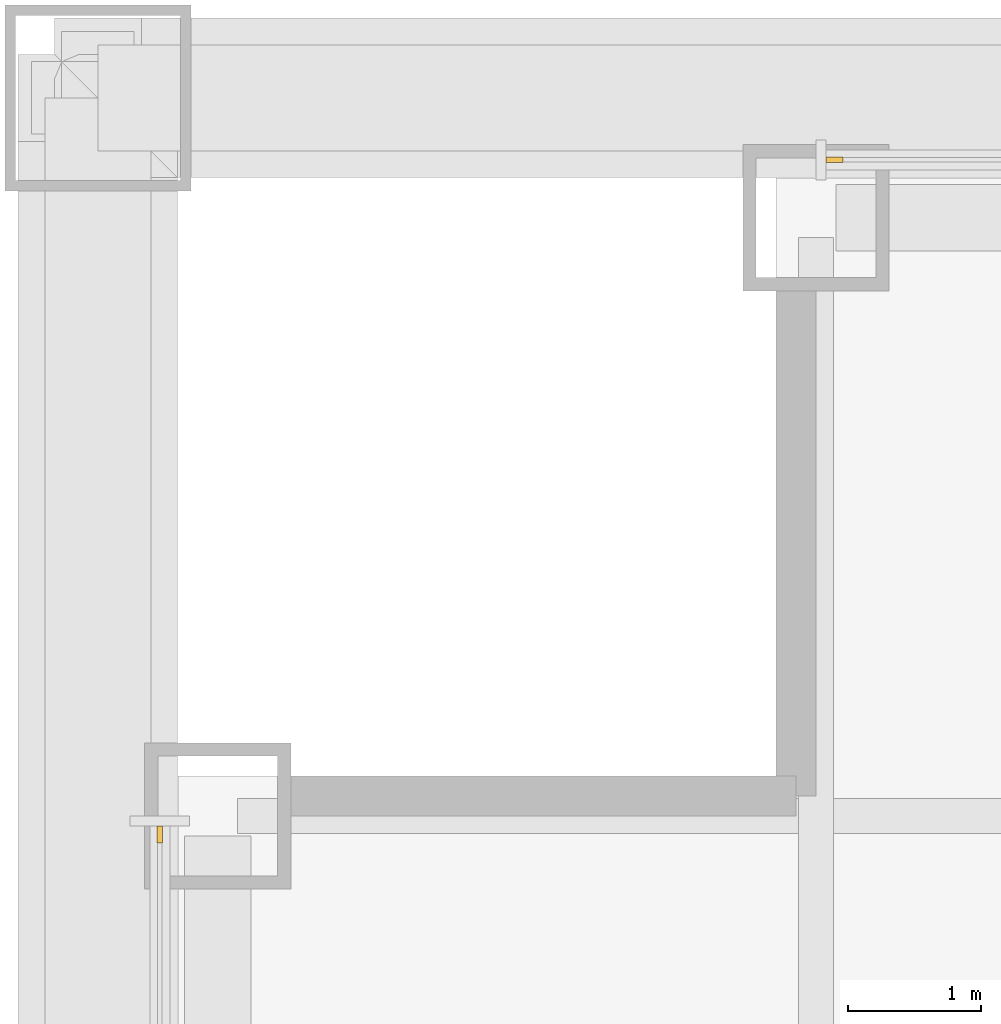
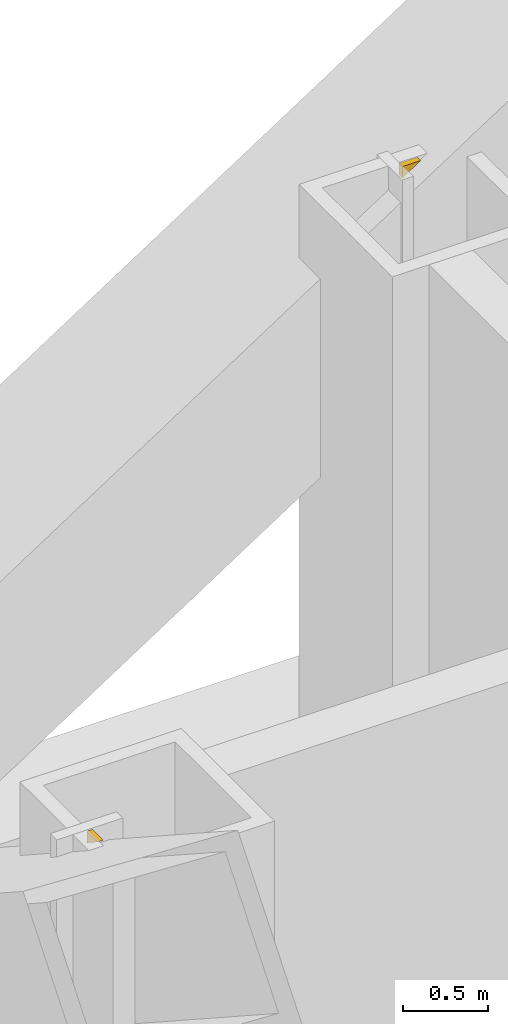
# One storey, part 20 of 21: 2 coverings.
"""IFC4 building model written with IfcOpenShell, lengths in metres."""

from ifc_helpers import new_model, si_unit, direction, frame, origin, place, context, subcontext, project, spatial, polyline, outline, extrude, material, layer, layer_set, type_object, element, save


model = new_model("IFC4")

# Units and contexts
model_context = context("Model", 3, precision=1e-05, world=origin(), true_north=direction((0.0, 1.0)))
body_context = subcontext(model_context, "Body", "Model", "MODEL_VIEW")
ifc_project = project(units=[si_unit("LENGTHUNIT", "METRE"), si_unit("AREAUNIT", "SQUARE_METRE"), si_unit("VOLUMEUNIT", "CUBIC_METRE"), si_unit("PLANEANGLEUNIT", "RADIAN"), si_unit("MASSUNIT", "GRAM", prefix="KILO")], contexts=[model_context])

# Site, building, storey
site_placement = place(None, origin())
site = spatial("IfcSite", under=ifc_project, at=site_placement, CompositionType="ELEMENT")
building_placement = place(site_placement, origin())
building = spatial("IfcBuilding", under=site, at=building_placement, Name="Malebo Sky Hospital", CompositionType="ELEMENT")
storey_placement = place(building_placement, frame((0.0, 0.0, 140.0)))
storey = spatial("IfcBuildingStorey", under=building, at=storey_placement, Name="L33", CompositionType="ELEMENT", Elevation=140.0)

# Coverings
ifc_material = material(Name="Anodised aluminium, natural silver insulated infill panel", Category="aluminium")
ifc_layer = layer(ifc_material, 0.0400390625)
ifc_layer_set = layer_set([ifc_layer], Name="BRACE INFILL PANEL 40")
covering_type = type_object("IfcCoveringType", Name="BRACE INFILL PANEL 40", PredefinedType="CLADDING", material=ifc_layer_set)
covering_1_placement = place(storey_placement, frame((40.9384765625, 86.135009765625, 3.9072265625), z_axis=(0.0, 0.0, 1.0), x_axis=(1.0, 0.0, 0.0)))
element("IfcCovering", 1, at=covering_1_placement, inside=storey, type_object=covering_type, Name="Brace infill panel 1.1", PredefinedType="CLADDING", context=body_context, shape_type="SweptSolid", body=[
    extrude(outline(polyline([(-0.063720703125, 0.0), (0.063720703125, 0.082763671875), (-0.063720703125, 0.082763671875), (-0.063720703125, 0.0)])), frame((0.0, 0.02001953125, 0.0), z_axis=(0.0, -1.0, 0.0), x_axis=(1.0, 0.0, 0.0)), (0.0, 0.0, 1.0), 0.0400390625),
])
covering_2_placement = place(storey_placement, frame((35.864990234375, 81.0615234375, 3.9072265625), z_axis=(0.0, 0.0, 1.0), x_axis=(0.0, 1.0, 0.0)))
element("IfcCovering", 2, at=covering_2_placement, inside=storey, type_object=covering_type, Name="Brace infill panel 16.1", PredefinedType="CLADDING", context=body_context, shape_type="SweptSolid", body=[
    extrude(outline(polyline([(0.0634765625, 0.0), (0.0634765625, 0.082763671875), (-0.063720703125, 0.082763671875), (0.0634765625, 0.0)])), frame((0.0, 0.02001953125, 0.0), z_axis=(0.0, -1.0, 0.0), x_axis=(1.0, 0.0, 0.0)), (0.0, 0.0, 1.0), 0.0400390625),
])

save(model, "model.ifc")
